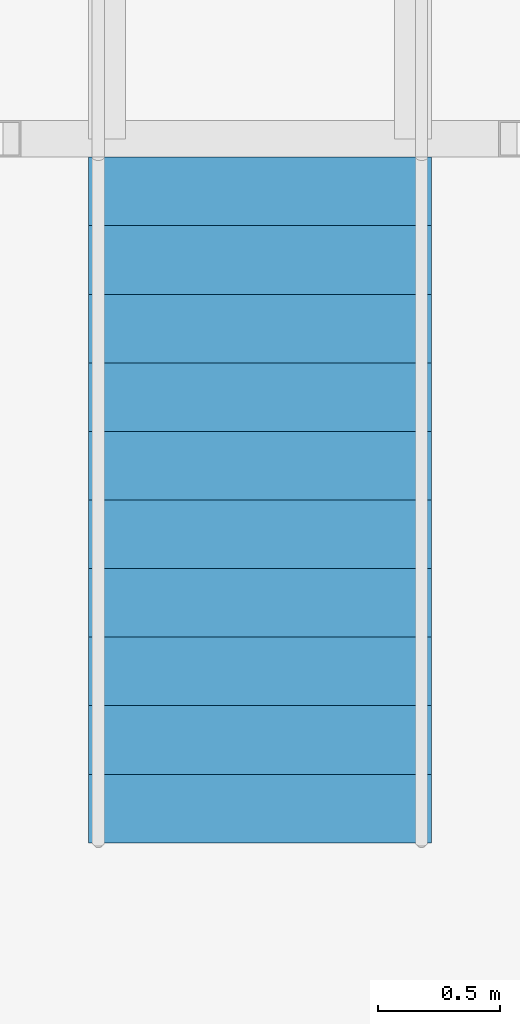
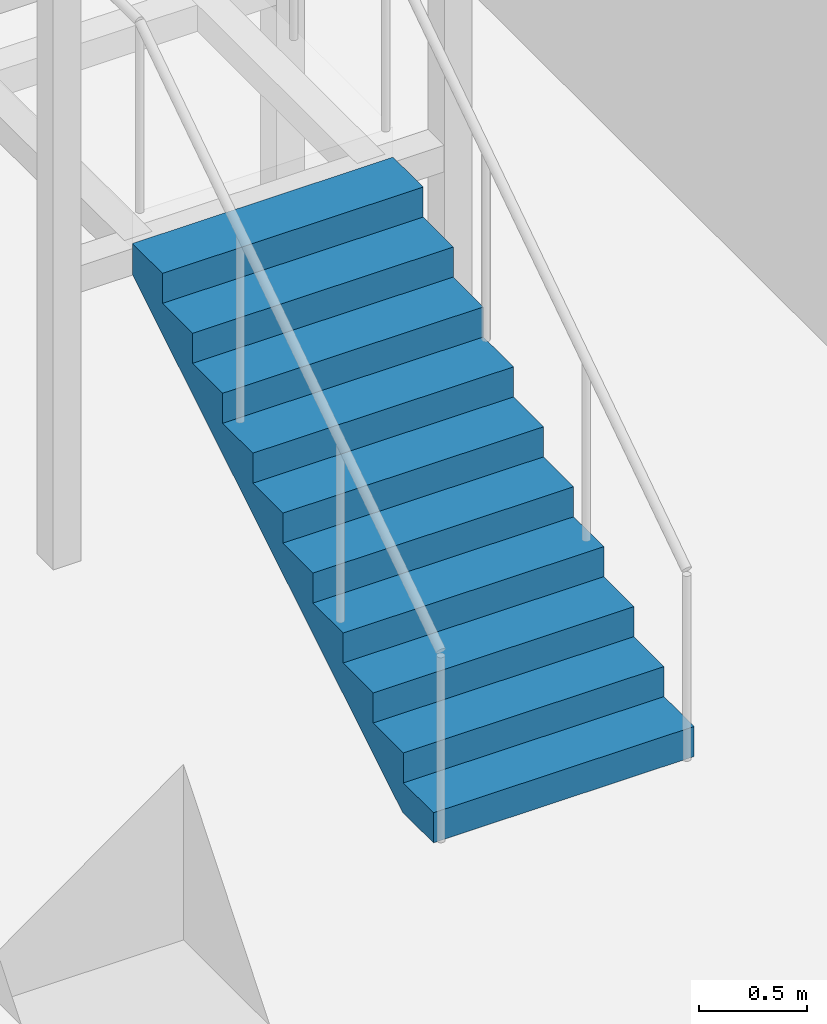
# One storey, part 26 of 28: 1 stair flight, 1 element without a shape of its own.
"""IFC4 building model written with IfcOpenShell, lengths in metres."""

from ifc_helpers import new_model, si_unit, direction, frame, origin, place, context, subcontext, project, spatial, triangles, material, type_object, element, aggregate, save


model = new_model("IFC4")

# Units and contexts
model_context = context("Model", 3, precision=1e-05, world=origin(), true_north=direction((0.0, 1.0)))
body_context = subcontext(model_context, "Body", "Model", "MODEL_VIEW")
ifc_project = project(units=[si_unit("LENGTHUNIT", "METRE"), si_unit("AREAUNIT", "SQUARE_METRE"), si_unit("VOLUMEUNIT", "CUBIC_METRE"), si_unit("PLANEANGLEUNIT", "RADIAN"), si_unit("MASSUNIT", "GRAM", prefix="KILO")], contexts=[model_context])

# Site, building, storey
site_placement = place(None, origin())
site = spatial("IfcSite", under=ifc_project, at=site_placement, CompositionType="ELEMENT")
building_placement = place(site_placement, origin())
building = spatial("IfcBuilding", under=site, at=building_placement, Name="Orbita Commons", CompositionType="ELEMENT")
storey_placement = place(building_placement, frame((0.0, 0.0, 23.949951171875)))
storey = spatial("IfcBuildingStorey", under=building, at=storey_placement, Name="L05", CompositionType="ELEMENT", Elevation=23.949951171875)

# Stair, stair flight
ifc_material_1 = material(Name="Steel ASTM A992 stringers, precast concrete C40/50 terrazzo treads", Category="concrete")
stair_type = type_object("IfcStairType", Name="Feature stair 22 risers 170 x 280 x 1400", PredefinedType="STRAIGHT_RUN_STAIR", material=ifc_material_1)
stair_placement = place(storey_placement, origin())
stair = element("IfcStair", 1, at=stair_placement, inside=storey, type_object=stair_type, Name="Neighbourhood stair L05 to L06", PredefinedType="STRAIGHT_RUN_STAIR")
ifc_material_2 = material(Name="Steel ASTM A992 stringers, precast concrete C40/50 terrazzo treads", Category="concrete")
stair_flight_type = type_object("IfcStairFlightType", Name="Feature stair flight 11 risers 170 x 1400", PredefinedType="STRAIGHT", material=ifc_material_2)
stair_flight_placement = place(storey_placement, frame((8.60009765625, 40.800048828125, 0.0), z_axis=(0.0, 0.0, 1.0), x_axis=(0.0, 1.0, 0.0)))
stair_flight = element("IfcStairFlight", 2, at=stair_flight_placement, type_object=stair_flight_type, Name="FS flight 1", NumberOfRisers=11, NumberOfTreads=10, PredefinedType="STRAIGHT", RiserHeight=0.170454545, TreadLength=0.28, context=body_context, shape_type="Tessellation", body=[
    triangles([(0.0, 0.699951, 0.0), (0.0, 0.699951, 0.021307), (0.0, 0.583293, 0.021307), (0.0, 0.583293, 0.0), (0.0, 0.466634, 0.021307), (0.0, 0.466634, 0.0), (0.0, 0.349976, 0.021307), (0.0, 0.349976, 0.0), (0.0, 0.233317, 0.021307), (0.0, 0.233317, 0.0), (0.0, 0.116659, 0.021307), (0.0, 0.116659, 0.0), (0.0, 0.0, 0.021307), (0.0, 0.0, 0.0), (0.0, -0.116659, 0.021307), (0.0, -0.116659, 0.0), (0.0, -0.233317, 0.021307), (0.0, -0.233317, 0.0), (0.0, -0.349976, 0.021307), (0.0, -0.349976, 0.0), (0.0, -0.466634, 0.021307), (0.0, -0.466634, 0.0), (0.0, -0.583293, 0.021307), (0.0, -0.583293, 0.0), (0.0, -0.699951, 0.021307), (0.0, -0.699951, 0.0), (0.0, 0.699951, 0.042614), (0.0, 0.583293, 0.042614), (0.0, 0.466634, 0.042614), (0.0, 0.349976, 0.042614), (0.0, 0.233317, 0.042614), (0.0, 0.116659, 0.042614), (0.0, 0.0, 0.042614), (0.0, -0.116659, 0.042614), (0.0, -0.233317, 0.042614), (0.0, -0.349976, 0.042614), (0.0, -0.466634, 0.042614), (0.0, -0.583293, 0.042614), (0.0, -0.699951, 0.042614), (0.0, 0.699951, 0.06392), (0.0, 0.583293, 0.06392), (0.0, 0.466634, 0.06392), (0.0, 0.349976, 0.06392), (0.0, 0.233317, 0.06392), (0.0, 0.116659, 0.06392), (0.0, 0.0, 0.06392), (0.0, -0.116659, 0.06392), (0.0, -0.233317, 0.06392), (0.0, -0.349976, 0.06392), (0.0, -0.466634, 0.06392), (0.0, -0.583293, 0.06392), (0.0, -0.699951, 0.06392), (0.0, 0.699951, 0.085227), (0.0, 0.583293, 0.085227), (0.0, 0.466634, 0.085227), (0.0, 0.349976, 0.085227), (0.0, 0.233317, 0.085227), (0.0, 0.116659, 0.085227), (0.0, 0.0, 0.085227), (0.0, -0.116659, 0.085227), (0.0, -0.233317, 0.085227), (0.0, -0.349976, 0.085227), (0.0, -0.466634, 0.085227), (0.0, -0.583293, 0.085227), (0.0, -0.699951, 0.085227), (0.0, 0.699951, 0.106534), (0.0, 0.583293, 0.106534), (0.0, 0.466634, 0.106534), (0.0, 0.349976, 0.106534), (0.0, 0.233317, 0.106534), (0.0, 0.116659, 0.106534), (0.0, 0.0, 0.106534), (0.0, -0.116659, 0.106534), (0.0, -0.233317, 0.106534), (0.0, -0.349976, 0.106534), (0.0, -0.466634, 0.106534), (0.0, -0.583293, 0.106534), (0.0, -0.699951, 0.106534), (0.0, 0.699951, 0.127841), (0.0, 0.583293, 0.127841), (0.0, 0.466634, 0.127841), (0.0, 0.349976, 0.127841), (0.0, 0.233317, 0.127841), (0.0, 0.116659, 0.127841), (0.0, 0.0, 0.127841), (0.0, -0.116659, 0.127841), (0.0, -0.233317, 0.127841), (0.0, -0.349976, 0.127841), (0.0, -0.466634, 0.127841), (0.0, -0.583293, 0.127841), (0.0, -0.699951, 0.127841), (0.0, 0.699951, 0.149148), (0.0, 0.583293, 0.149148), (0.0, 0.466634, 0.149148), (0.0, 0.349976, 0.149148), (0.0, 0.233317, 0.149148), (0.0, 0.116659, 0.149148), (0.0, 0.0, 0.149148), (0.0, -0.116659, 0.149148), (0.0, -0.233317, 0.149148), (0.0, -0.349976, 0.149148), (0.0, -0.466634, 0.149148), (0.0, -0.583293, 0.149148), (0.0, -0.699951, 0.149148), (0.0, 0.699951, 0.170455), (0.0, 0.583293, 0.170455), (0.0, 0.466634, 0.170455), (0.0, 0.349976, 0.170455), (0.0, 0.233317, 0.170455), (0.0, 0.116659, 0.170455), (0.0, 0.0, 0.170455), (0.0, -0.116659, 0.170455), (0.0, -0.233317, 0.170455), (0.0, -0.349976, 0.170455), (0.0, -0.466634, 0.170455), (0.0, -0.583293, 0.170455), (0.0, -0.699951, 0.170455), (0.28, 0.699951, 0.170455), (0.28, 0.583293, 0.170455), (0.28, 0.466634, 0.170455), (0.28, 0.349976, 0.170455), (0.28, 0.233317, 0.170455), (0.28, 0.116659, 0.170455), (0.28, 0.0, 0.170455), (0.28, -0.116659, 0.170455), (0.28, -0.233317, 0.170455), (0.28, -0.349976, 0.170455), (0.28, -0.466634, 0.170455), (0.28, -0.583293, 0.170455), (0.28, -0.699951, 0.170455), (0.28, 0.699951, 0.340909), (0.28, 0.583293, 0.340909), (0.28, 0.466634, 0.340909), (0.28, 0.349976, 0.340909), (0.28, 0.233317, 0.340909), (0.28, 0.116659, 0.340909), (0.28, 0.0, 0.340909), (0.28, -0.116659, 0.340909), (0.28, -0.233317, 0.340909), (0.28, -0.349976, 0.340909), (0.28, -0.466634, 0.340909), (0.28, -0.583293, 0.340909), (0.28, -0.699951, 0.340909), (0.56, 0.699951, 0.340909), (0.56, 0.583293, 0.340909), (0.56, 0.466634, 0.340909), (0.56, 0.349976, 0.340909), (0.56, 0.233317, 0.340909), (0.56, 0.116659, 0.340909), (0.56, 0.0, 0.340909), (0.56, -0.116659, 0.340909), (0.56, -0.233317, 0.340909), (0.56, -0.349976, 0.340909), (0.56, -0.466634, 0.340909), (0.56, -0.583293, 0.340909), (0.56, -0.699951, 0.340909), (0.56, 0.699951, 0.511364), (0.56, 0.583293, 0.511364), (0.56, 0.466634, 0.511364), (0.56, 0.349976, 0.511364), (0.56, 0.233317, 0.511364), (0.56, 0.116659, 0.511364), (0.56, 0.0, 0.511364), (0.56, -0.116659, 0.511364), (0.56, -0.233317, 0.511364), (0.56, -0.349976, 0.511364), (0.56, -0.466634, 0.511364), (0.56, -0.583293, 0.511364), (0.56, -0.699951, 0.511364), (0.84, 0.699951, 0.511364), (0.84, 0.583293, 0.511364), (0.84, 0.466634, 0.511364), (0.84, 0.349976, 0.511364), (0.84, 0.233317, 0.511364), (0.84, 0.116659, 0.511364), (0.84, 0.0, 0.511364), (0.84, -0.116659, 0.511364), (0.84, -0.233317, 0.511364), (0.84, -0.349976, 0.511364), (0.84, -0.466634, 0.511364), (0.84, -0.583293, 0.511364), (0.84, -0.699951, 0.511364), (0.84, 0.699951, 0.681818), (0.84, 0.583293, 0.681818), (0.84, 0.466634, 0.681818), (0.84, 0.349976, 0.681818), (0.84, 0.233317, 0.681818), (0.84, 0.116659, 0.681818), (0.84, 0.0, 0.681818), (0.84, -0.116659, 0.681818), (0.84, -0.233317, 0.681818), (0.84, -0.349976, 0.681818), (0.84, -0.466634, 0.681818), (0.84, -0.583293, 0.681818), (0.84, -0.699951, 0.681818), (1.12, 0.699951, 0.681818), (1.12, 0.583293, 0.681818), (1.12, 0.466634, 0.681818), (1.12, 0.349976, 0.681818), (1.12, 0.233317, 0.681818), (1.12, 0.116659, 0.681818), (1.12, 0.0, 0.681818), (1.12, -0.116659, 0.681818), (1.12, -0.233317, 0.681818), (1.12, -0.349976, 0.681818), (1.12, -0.466634, 0.681818), (1.12, -0.583293, 0.681818), (1.12, -0.699951, 0.681818), (1.12, 0.699951, 0.852273), (1.12, 0.583293, 0.852273), (1.12, 0.466634, 0.852273), (1.12, 0.349976, 0.852273), (1.12, 0.233317, 0.852273), (1.12, 0.116659, 0.852273), (1.12, 0.0, 0.852273), (1.12, -0.116659, 0.852273), (1.12, -0.233317, 0.852273), (1.12, -0.349976, 0.852273), (1.12, -0.466634, 0.852273), (1.12, -0.583293, 0.852273), (1.12, -0.699951, 0.852273), (1.4, 0.699951, 0.852273), (1.4, 0.583293, 0.852273), (1.4, 0.466634, 0.852273), (1.4, 0.349976, 0.852273), (1.4, 0.233317, 0.852273), (1.4, 0.116659, 0.852273), (1.4, 0.0, 0.852273), (1.4, -0.116659, 0.852273), (1.4, -0.233317, 0.852273), (1.4, -0.349976, 0.852273), (1.4, -0.466634, 0.852273), (1.4, -0.583293, 0.852273), (1.4, -0.699951, 0.852273), (1.4, 0.699951, 1.022727), (1.4, 0.583293, 1.022727), (1.4, 0.466634, 1.022727), (1.4, 0.349976, 1.022727), (1.4, 0.233317, 1.022727), (1.4, 0.116659, 1.022727), (1.4, 0.0, 1.022727), (1.4, -0.116659, 1.022727), (1.4, -0.233317, 1.022727), (1.4, -0.349976, 1.022727), (1.4, -0.466634, 1.022727), (1.4, -0.583293, 1.022727), (1.4, -0.699951, 1.022727), (1.68, 0.699951, 1.022727), (1.68, 0.583293, 1.022727), (1.68, 0.466634, 1.022727), (1.68, 0.349976, 1.022727), (1.68, 0.233317, 1.022727), (1.68, 0.116659, 1.022727), (1.68, 0.0, 1.022727), (1.68, -0.116659, 1.022727), (1.68, -0.233317, 1.022727), (1.68, -0.349976, 1.022727), (1.68, -0.466634, 1.022727), (1.68, -0.583293, 1.022727), (1.68, -0.699951, 1.022727), (1.68, 0.699951, 1.193182), (1.68, 0.583293, 1.193182), (1.68, 0.466634, 1.193182), (1.68, 0.349976, 1.193182), (1.68, 0.233317, 1.193182), (1.68, 0.116659, 1.193182), (1.68, 0.0, 1.193182), (1.68, -0.116659, 1.193182), (1.68, -0.233317, 1.193182), (1.68, -0.349976, 1.193182), (1.68, -0.466634, 1.193182), (1.68, -0.583293, 1.193182), (1.68, -0.699951, 1.193182), (1.96, 0.699951, 1.193182), (1.96, 0.583293, 1.193182), (1.96, 0.466634, 1.193182), (1.96, 0.349976, 1.193182), (1.96, 0.233317, 1.193182), (1.96, 0.116659, 1.193182), (1.96, 0.0, 1.193182), (1.96, -0.116659, 1.193182), (1.96, -0.233317, 1.193182), (1.96, -0.349976, 1.193182), (1.96, -0.466634, 1.193182), (1.96, -0.583293, 1.193182), (1.96, -0.699951, 1.193182), (1.96, 0.699951, 1.363636), (1.96, 0.583293, 1.363636), (1.96, 0.466634, 1.363636), (1.96, 0.349976, 1.363636), (1.96, 0.233317, 1.363636), (1.96, 0.116659, 1.363636), (1.96, 0.0, 1.363636), (1.96, -0.116659, 1.363636), (1.96, -0.233317, 1.363636), (1.96, -0.349976, 1.363636), (1.96, -0.466634, 1.363636), (1.96, -0.583293, 1.363636), (1.96, -0.699951, 1.363636), (2.24, 0.699951, 1.363636), (2.24, 0.583293, 1.363636), (2.24, 0.466634, 1.363636), (2.24, 0.349976, 1.363636), (2.24, 0.233317, 1.363636), (2.24, 0.116659, 1.363636), (2.24, 0.0, 1.363636), (2.24, -0.116659, 1.363636), (2.24, -0.233317, 1.363636), (2.24, -0.349976, 1.363636), (2.24, -0.466634, 1.363636), (2.24, -0.583293, 1.363636), (2.24, -0.699951, 1.363636), (2.24, 0.699951, 1.534091), (2.24, 0.583293, 1.534091), (2.24, 0.466634, 1.534091), (2.24, 0.349976, 1.534091), (2.24, 0.233317, 1.534091), (2.24, 0.116659, 1.534091), (2.24, 0.0, 1.534091), (2.24, -0.116659, 1.534091), (2.24, -0.233317, 1.534091), (2.24, -0.349976, 1.534091), (2.24, -0.466634, 1.534091), (2.24, -0.583293, 1.534091), (2.24, -0.699951, 1.534091), (2.52, 0.699951, 1.534091), (2.52, 0.583293, 1.534091), (2.52, 0.466634, 1.534091), (2.52, 0.349976, 1.534091), (2.52, 0.233317, 1.534091), (2.52, 0.116659, 1.534091), (2.52, 0.0, 1.534091), (2.52, -0.116659, 1.534091), (2.52, -0.233317, 1.534091), (2.52, -0.349976, 1.534091), (2.52, -0.466634, 1.534091), (2.52, -0.583293, 1.534091), (2.52, -0.699951, 1.534091), (2.52, 0.699951, 1.704545), (2.52, 0.583293, 1.704545), (2.52, 0.466634, 1.704545), (2.52, 0.349976, 1.704545), (2.52, 0.233317, 1.704545), (2.52, 0.116659, 1.704545), (2.52, 0.0, 1.704545), (2.52, -0.116659, 1.704545), (2.52, -0.233317, 1.704545), (2.52, -0.349976, 1.704545), (2.52, -0.466634, 1.704545), (2.52, -0.583293, 1.704545), (2.52, -0.699951, 1.704545), (2.8, 0.699951, 1.704545), (2.8, 0.583293, 1.704545), (2.8, 0.466634, 1.704545), (2.8, 0.349976, 1.704545), (2.8, 0.233317, 1.704545), (2.8, 0.116659, 1.704545), (2.8, 0.0, 1.704545), (2.8, -0.116659, 1.704545), (2.8, -0.233317, 1.704545), (2.8, -0.349976, 1.704545), (2.8, -0.466634, 1.704545), (2.8, -0.583293, 1.704545), (2.8, -0.699951, 1.704545), (2.8, 0.699951, 1.682609), (2.8, 0.583293, 1.682609), (2.8, 0.466634, 1.682609), (2.8, 0.349976, 1.682609), (2.8, 0.233317, 1.682609), (2.8, 0.116659, 1.682609), (2.8, 0.0, 1.682609), (2.8, -0.116659, 1.682609), (2.8, -0.233317, 1.682609), (2.8, -0.349976, 1.682609), (2.8, -0.466634, 1.682609), (2.8, -0.583293, 1.682609), (2.8, -0.699951, 1.682609), (2.8, 0.699951, 1.660672), (2.8, 0.583293, 1.660672), (2.8, 0.466634, 1.660672), (2.8, 0.349976, 1.660672), (2.8, 0.233317, 1.660672), (2.8, 0.116659, 1.660672), (2.8, 0.0, 1.660672), (2.8, -0.116659, 1.660672), (2.8, -0.233317, 1.660672), (2.8, -0.349976, 1.660672), (2.8, -0.466634, 1.660672), (2.8, -0.583293, 1.660672), (2.8, -0.699951, 1.660672), (2.8, 0.699951, 1.638735), (2.8, 0.583293, 1.638735), (2.8, 0.466634, 1.638735), (2.8, 0.349976, 1.638735), (2.8, 0.233317, 1.638735), (2.8, 0.116659, 1.638735), (2.8, 0.0, 1.638735), (2.8, -0.116659, 1.638735), (2.8, -0.233317, 1.638735), (2.8, -0.349976, 1.638735), (2.8, -0.466634, 1.638735), (2.8, -0.583293, 1.638735), (2.8, -0.699951, 1.638735), (2.8, 0.699951, 1.616798), (2.8, 0.583293, 1.616798), (2.8, 0.466634, 1.616798), (2.8, 0.349976, 1.616798), (2.8, 0.233317, 1.616798), (2.8, 0.116659, 1.616798), (2.8, 0.0, 1.616798), (2.8, -0.116659, 1.616798), (2.8, -0.233317, 1.616798), (2.8, -0.349976, 1.616798), (2.8, -0.466634, 1.616798), (2.8, -0.583293, 1.616798), (2.8, -0.699951, 1.616798), (2.8, 0.699951, 1.594861), (2.8, 0.583293, 1.594861), (2.8, 0.466634, 1.594861), (2.8, 0.349976, 1.594861), (2.8, 0.233317, 1.594861), (2.8, 0.116659, 1.594861), (2.8, 0.0, 1.594861), (2.8, -0.116659, 1.594861), (2.8, -0.233317, 1.594861), (2.8, -0.349976, 1.594861), (2.8, -0.466634, 1.594861), (2.8, -0.583293, 1.594861), (2.8, -0.699951, 1.594861), (2.8, 0.699951, 1.572925), (2.8, 0.583293, 1.572925), (2.8, 0.466634, 1.572925), (2.8, 0.349976, 1.572925), (2.8, 0.233317, 1.572925), (2.8, 0.116659, 1.572925), (2.8, 0.0, 1.572925), (2.8, -0.116659, 1.572925), (2.8, -0.233317, 1.572925), (2.8, -0.349976, 1.572925), (2.8, -0.466634, 1.572925), (2.8, -0.583293, 1.572925), (2.8, -0.699951, 1.572925), (2.8, 0.699951, 1.550988), (2.8, 0.583293, 1.550988), (2.8, 0.466634, 1.550988), (2.8, 0.349976, 1.550988), (2.8, 0.233317, 1.550988), (2.8, 0.116659, 1.550988), (2.8, 0.0, 1.550988), (2.8, -0.116659, 1.550988), (2.8, -0.233317, 1.550988), (2.8, -0.349976, 1.550988), (2.8, -0.466634, 1.550988), (2.8, -0.583293, 1.550988), (2.8, -0.699951, 1.550988), (2.8, 0.699951, 1.529051), (2.8, 0.583293, 1.529051), (2.8, 0.466634, 1.529051), (2.8, 0.349976, 1.529051), (2.8, 0.233317, 1.529051), (2.8, 0.116659, 1.529051), (2.8, 0.0, 1.529051), (2.8, -0.116659, 1.529051), (2.8, -0.233317, 1.529051), (2.8, -0.349976, 1.529051), (2.8, -0.466634, 1.529051), (2.8, -0.583293, 1.529051), (2.8, -0.699951, 1.529051), (0.288279, 0.699951, 0.0), (0.288279, 0.583293, 0.0), (0.288279, 0.466634, 0.0), (0.288279, 0.349976, 0.0), (0.288279, 0.233317, 0.0), (0.288279, 0.116659, 0.0), (0.288279, 0.0, 0.0), (0.288279, -0.116659, 0.0), (0.288279, -0.233317, 0.0), (0.288279, -0.349976, 0.0), (0.288279, -0.466634, 0.0), (0.288279, -0.583293, 0.0), (0.288279, -0.699951, 0.0)], [[3, 2, 1], [4, 3, 1], [5, 3, 4], [6, 5, 4], [7, 5, 6], [8, 7, 6], [9, 7, 8], [10, 9, 8], [11, 9, 10], [12, 11, 10], [13, 11, 12], [14, 13, 12], [15, 13, 14], [16, 15, 14], [17, 15, 16], [18, 17, 16], [19, 17, 18], [20, 19, 18], [21, 19, 20], [22, 21, 20], [23, 21, 22], [24, 23, 22], [25, 23, 24], [26, 25, 24], [28, 27, 2], [3, 28, 2], [29, 28, 3], [5, 29, 3], [30, 29, 5], [7, 30, 5], [31, 30, 7], [9, 31, 7], [32, 31, 9], [11, 32, 9], [33, 32, 11], [13, 33, 11], [34, 33, 13], [15, 34, 13], [35, 34, 15], [17, 35, 15], [36, 35, 17], [19, 36, 17], [37, 36, 19], [21, 37, 19], [38, 37, 21], [23, 38, 21], [39, 38, 23], [25, 39, 23], [41, 40, 27], [28, 41, 27], [42, 41, 28], [29, 42, 28], [43, 42, 29], [30, 43, 29], [44, 43, 30], [31, 44, 30], [45, 44, 31], [32, 45, 31], [46, 45, 32], [33, 46, 32], [47, 46, 33], [34, 47, 33], [48, 47, 34], [35, 48, 34], [49, 48, 35], [36, 49, 35], [50, 49, 36], [37, 50, 36], [51, 50, 37], [38, 51, 37], [52, 51, 38], [39, 52, 38], [54, 53, 40], [41, 54, 40], [55, 54, 41], [42, 55, 41], [56, 55, 42], [43, 56, 42], [57, 56, 43], [44, 57, 43], [58, 57, 44], [45, 58, 44], [59, 58, 45], [46, 59, 45], [60, 59, 46], [47, 60, 46], [61, 60, 47], [48, 61, 47], [62, 61, 48], [49, 62, 48], [63, 62, 49], [50, 63, 49], [64, 63, 50], [51, 64, 50], [65, 64, 51], [52, 65, 51], [67, 66, 53], [54, 67, 53], [68, 67, 54], [55, 68, 54], [69, 68, 55], [56, 69, 55], [70, 69, 56], [57, 70, 56], [71, 70, 57], [58, 71, 57], [72, 71, 58], [59, 72, 58], [73, 72, 59], [60, 73, 59], [74, 73, 60], [61, 74, 60], [75, 74, 61], [62, 75, 61], [76, 75, 62], [63, 76, 62], [77, 76, 63], [64, 77, 63], [78, 77, 64], [65, 78, 64], [80, 79, 66], [67, 80, 66], [81, 80, 67], [68, 81, 67], [82, 81, 68], [69, 82, 68], [83, 82, 69], [70, 83, 69], [84, 83, 70], [71, 84, 70], [85, 84, 71], [72, 85, 71], [86, 85, 72], [73, 86, 72], [87, 86, 73], [74, 87, 73], [88, 87, 74], [75, 88, 74], [89, 88, 75], [76, 89, 75], [90, 89, 76], [77, 90, 76], [91, 90, 77], [78, 91, 77], [93, 92, 79], [80, 93, 79], [94, 93, 80], [81, 94, 80], [95, 94, 81], [82, 95, 81], [96, 95, 82], [83, 96, 82], [97, 96, 83], [84, 97, 83], [98, 97, 84], [85, 98, 84], [99, 98, 85], [86, 99, 85], [100, 99, 86], [87, 100, 86], [101, 100, 87], [88, 101, 87], [102, 101, 88], [89, 102, 88], [103, 102, 89], [90, 103, 89], [104, 103, 90], [91, 104, 90], [106, 105, 92], [93, 106, 92], [107, 106, 93], [94, 107, 93], [108, 107, 94], [95, 108, 94], [109, 108, 95], [96, 109, 95], [110, 109, 96], [97, 110, 96], [111, 110, 97], [98, 111, 97], [112, 111, 98], [99, 112, 98], [113, 112, 99], [100, 113, 99], [114, 113, 100], [101, 114, 100], [115, 114, 101], [102, 115, 101], [116, 115, 102], [103, 116, 102], [117, 116, 103], [104, 117, 103], [119, 118, 105], [106, 119, 105], [120, 119, 106], [107, 120, 106], [121, 120, 107], [108, 121, 107], [122, 121, 108], [109, 122, 108], [123, 122, 109], [110, 123, 109], [124, 123, 110], [111, 124, 110], [125, 124, 111], [112, 125, 111], [126, 125, 112], [113, 126, 112], [127, 126, 113], [114, 127, 113], [128, 127, 114], [115, 128, 114], [129, 128, 115], [116, 129, 115], [130, 129, 116], [117, 130, 116], [132, 131, 118], [119, 132, 118], [133, 132, 119], [120, 133, 119], [134, 133, 120], [121, 134, 120], [135, 134, 121], [122, 135, 121], [136, 135, 122], [123, 136, 122], [137, 136, 123], [124, 137, 123], [138, 137, 124], [125, 138, 124], [139, 138, 125], [126, 139, 125], [140, 139, 126], [127, 140, 126], [141, 140, 127], [128, 141, 127], [142, 141, 128], [129, 142, 128], [143, 142, 129], [130, 143, 129], [145, 144, 131], [132, 145, 131], [146, 145, 132], [133, 146, 132], [147, 146, 133], [134, 147, 133], [148, 147, 134], [135, 148, 134], [149, 148, 135], [136, 149, 135], [150, 149, 136], [137, 150, 136], [151, 150, 137], [138, 151, 137], [152, 151, 138], [139, 152, 138], [153, 152, 139], [140, 153, 139], [154, 153, 140], [141, 154, 140], [155, 154, 141], [142, 155, 141], [156, 155, 142], [143, 156, 142], [158, 157, 144], [145, 158, 144], [159, 158, 145], [146, 159, 145], [160, 159, 146], [147, 160, 146], [161, 160, 147], [148, 161, 147], [162, 161, 148], [149, 162, 148], [163, 162, 149], [150, 163, 149], [164, 163, 150], [151, 164, 150], [165, 164, 151], [152, 165, 151], [166, 165, 152], [153, 166, 152], [167, 166, 153], [154, 167, 153], [168, 167, 154], [155, 168, 154], [169, 168, 155], [156, 169, 155], [171, 170, 157], [158, 171, 157], [172, 171, 158], [159, 172, 158], [173, 172, 159], [160, 173, 159], [174, 173, 160], [161, 174, 160], [175, 174, 161], [162, 175, 161], [176, 175, 162], [163, 176, 162], [177, 176, 163], [164, 177, 163], [178, 177, 164], [165, 178, 164], [179, 178, 165], [166, 179, 165], [180, 179, 166], [167, 180, 166], [181, 180, 167], [168, 181, 167], [182, 181, 168], [169, 182, 168], [184, 183, 170], [171, 184, 170], [185, 184, 171], [172, 185, 171], [186, 185, 172], [173, 186, 172], [187, 186, 173], [174, 187, 173], [188, 187, 174], [175, 188, 174], [189, 188, 175], [176, 189, 175], [190, 189, 176], [177, 190, 176], [191, 190, 177], [178, 191, 177], [192, 191, 178], [179, 192, 178], [193, 192, 179], [180, 193, 179], [194, 193, 180], [181, 194, 180], [195, 194, 181], [182, 195, 181], [197, 196, 183], [184, 197, 183], [198, 197, 184], [185, 198, 184], [199, 198, 185], [186, 199, 185], [200, 199, 186], [187, 200, 186], [201, 200, 187], [188, 201, 187], [202, 201, 188], [189, 202, 188], [203, 202, 189], [190, 203, 189], [204, 203, 190], [191, 204, 190], [205, 204, 191], [192, 205, 191], [206, 205, 192], [193, 206, 192], [207, 206, 193], [194, 207, 193], [208, 207, 194], [195, 208, 194], [210, 209, 196], [197, 210, 196], [211, 210, 197], [198, 211, 197], [212, 211, 198], [199, 212, 198], [213, 212, 199], [200, 213, 199], [214, 213, 200], [201, 214, 200], [215, 214, 201], [202, 215, 201], [216, 215, 202], [203, 216, 202], [217, 216, 203], [204, 217, 203], [218, 217, 204], [205, 218, 204], [219, 218, 205], [206, 219, 205], [220, 219, 206], [207, 220, 206], [221, 220, 207], [208, 221, 207], [223, 222, 209], [210, 223, 209], [224, 223, 210], [211, 224, 210], [225, 224, 211], [212, 225, 211], [226, 225, 212], [213, 226, 212], [227, 226, 213], [214, 227, 213], [228, 227, 214], [215, 228, 214], [229, 228, 215], [216, 229, 215], [230, 229, 216], [217, 230, 216], [231, 230, 217], [218, 231, 217], [232, 231, 218], [219, 232, 218], [233, 232, 219], [220, 233, 219], [234, 233, 220], [221, 234, 220], [236, 235, 222], [223, 236, 222], [237, 236, 223], [224, 237, 223], [238, 237, 224], [225, 238, 224], [239, 238, 225], [226, 239, 225], [240, 239, 226], [227, 240, 226], [241, 240, 227], [228, 241, 227], [242, 241, 228], [229, 242, 228], [243, 242, 229], [230, 243, 229], [244, 243, 230], [231, 244, 230], [245, 244, 231], [232, 245, 231], [246, 245, 232], [233, 246, 232], [247, 246, 233], [234, 247, 233], [249, 248, 235], [236, 249, 235], [250, 249, 236], [237, 250, 236], [251, 250, 237], [238, 251, 237], [252, 251, 238], [239, 252, 238], [253, 252, 239], [240, 253, 239], [254, 253, 240], [241, 254, 240], [255, 254, 241], [242, 255, 241], [256, 255, 242], [243, 256, 242], [257, 256, 243], [244, 257, 243], [258, 257, 244], [245, 258, 244], [259, 258, 245], [246, 259, 245], [260, 259, 246], [247, 260, 246], [262, 261, 248], [249, 262, 248], [263, 262, 249], [250, 263, 249], [264, 263, 250], [251, 264, 250], [265, 264, 251], [252, 265, 251], [266, 265, 252], [253, 266, 252], [267, 266, 253], [254, 267, 253], [268, 267, 254], [255, 268, 254], [269, 268, 255], [256, 269, 255], [270, 269, 256], [257, 270, 256], [271, 270, 257], [258, 271, 257], [272, 271, 258], [259, 272, 258], [273, 272, 259], [260, 273, 259], [275, 274, 261], [262, 275, 261], [276, 275, 262], [263, 276, 262], [277, 276, 263], [264, 277, 263], [278, 277, 264], [265, 278, 264], [279, 278, 265], [266, 279, 265], [280, 279, 266], [267, 280, 266], [281, 280, 267], [268, 281, 267], [282, 281, 268], [269, 282, 268], [283, 282, 269], [270, 283, 269], [284, 283, 270], [271, 284, 270], [285, 284, 271], [272, 285, 271], [286, 285, 272], [273, 286, 272], [288, 287, 274], [275, 288, 274], [289, 288, 275], [276, 289, 275], [290, 289, 276], [277, 290, 276], [291, 290, 277], [278, 291, 277], [292, 291, 278], [279, 292, 278], [293, 292, 279], [280, 293, 279], [294, 293, 280], [281, 294, 280], [295, 294, 281], [282, 295, 281], [296, 295, 282], [283, 296, 282], [297, 296, 283], [284, 297, 283], [298, 297, 284], [285, 298, 284], [299, 298, 285], [286, 299, 285], [301, 300, 287], [288, 301, 287], [302, 301, 288], [289, 302, 288], [303, 302, 289], [290, 303, 289], [304, 303, 290], [291, 304, 290], [305, 304, 291], [292, 305, 291], [306, 305, 292], [293, 306, 292], [307, 306, 293], [294, 307, 293], [308, 307, 294], [295, 308, 294], [309, 308, 295], [296, 309, 295], [310, 309, 296], [297, 310, 296], [311, 310, 297], [298, 311, 297], [312, 311, 298], [299, 312, 298], [314, 313, 300], [301, 314, 300], [315, 314, 301], [302, 315, 301], [316, 315, 302], [303, 316, 302], [317, 316, 303], [304, 317, 303], [318, 317, 304], [305, 318, 304], [319, 318, 305], [306, 319, 305], [320, 319, 306], [307, 320, 306], [321, 320, 307], [308, 321, 307], [322, 321, 308], [309, 322, 308], [323, 322, 309], [310, 323, 309], [324, 323, 310], [311, 324, 310], [325, 324, 311], [312, 325, 311], [327, 326, 313], [314, 327, 313], [328, 327, 314], [315, 328, 314], [329, 328, 315], [316, 329, 315], [330, 329, 316], [317, 330, 316], [331, 330, 317], [318, 331, 317], [332, 331, 318], [319, 332, 318], [333, 332, 319], [320, 333, 319], [334, 333, 320], [321, 334, 320], [335, 334, 321], [322, 335, 321], [336, 335, 322], [323, 336, 322], [337, 336, 323], [324, 337, 323], [338, 337, 324], [325, 338, 324], [340, 339, 326], [327, 340, 326], [341, 340, 327], [328, 341, 327], [342, 341, 328], [329, 342, 328], [343, 342, 329], [330, 343, 329], [344, 343, 330], [331, 344, 330], [345, 344, 331], [332, 345, 331], [346, 345, 332], [333, 346, 332], [347, 346, 333], [334, 347, 333], [348, 347, 334], [335, 348, 334], [349, 348, 335], [336, 349, 335], [350, 349, 336], [337, 350, 336], [351, 350, 337], [338, 351, 337], [353, 352, 339], [340, 353, 339], [354, 353, 340], [341, 354, 340], [355, 354, 341], [342, 355, 341], [356, 355, 342], [343, 356, 342], [357, 356, 343], [344, 357, 343], [358, 357, 344], [345, 358, 344], [359, 358, 345], [346, 359, 345], [360, 359, 346], [347, 360, 346], [361, 360, 347], [348, 361, 347], [362, 361, 348], [349, 362, 348], [363, 362, 349], [350, 363, 349], [364, 363, 350], [351, 364, 350], [366, 365, 352], [353, 366, 352], [367, 366, 353], [354, 367, 353], [368, 367, 354], [355, 368, 354], [369, 368, 355], [356, 369, 355], [370, 369, 356], [357, 370, 356], [371, 370, 357], [358, 371, 357], [372, 371, 358], [359, 372, 358], [373, 372, 359], [360, 373, 359], [374, 373, 360], [361, 374, 360], [375, 374, 361], [362, 375, 361], [376, 375, 362], [363, 376, 362], [377, 376, 363], [364, 377, 363], [379, 378, 365], [366, 379, 365], [380, 379, 366], [367, 380, 366], [381, 380, 367], [368, 381, 367], [382, 381, 368], [369, 382, 368], [383, 382, 369], [370, 383, 369], [384, 383, 370], [371, 384, 370], [385, 384, 371], [372, 385, 371], [386, 385, 372], [373, 386, 372], [387, 386, 373], [374, 387, 373], [388, 387, 374], [375, 388, 374], [389, 388, 375], [376, 389, 375], [390, 389, 376], [377, 390, 376], [392, 391, 378], [379, 392, 378], [393, 392, 379], [380, 393, 379], [394, 393, 380], [381, 394, 380], [395, 394, 381], [382, 395, 381], [396, 395, 382], [383, 396, 382], [397, 396, 383], [384, 397, 383], [398, 397, 384], [385, 398, 384], [399, 398, 385], [386, 399, 385], [400, 399, 386], [387, 400, 386], [401, 400, 387], [388, 401, 387], [402, 401, 388], [389, 402, 388], [403, 402, 389], [390, 403, 389], [405, 404, 391], [392, 405, 391], [406, 405, 392], [393, 406, 392], [407, 406, 393], [394, 407, 393], [408, 407, 394], [395, 408, 394], [409, 408, 395], [396, 409, 395], [410, 409, 396], [397, 410, 396], [411, 410, 397], [398, 411, 397], [412, 411, 398], [399, 412, 398], [413, 412, 399], [400, 413, 399], [414, 413, 400], [401, 414, 400], [415, 414, 401], [402, 415, 401], [416, 415, 402], [403, 416, 402], [418, 417, 404], [405, 418, 404], [419, 418, 405], [406, 419, 405], [420, 419, 406], [407, 420, 406], [421, 420, 407], [408, 421, 407], [422, 421, 408], [409, 422, 408], [423, 422, 409], [410, 423, 409], [424, 423, 410], [411, 424, 410], [425, 424, 411], [412, 425, 411], [426, 425, 412], [413, 426, 412], [427, 426, 413], [414, 427, 413], [428, 427, 414], [415, 428, 414], [429, 428, 415], [416, 429, 415], [431, 430, 417], [418, 431, 417], [432, 431, 418], [419, 432, 418], [433, 432, 419], [420, 433, 419], [434, 433, 420], [421, 434, 420], [435, 434, 421], [422, 435, 421], [436, 435, 422], [423, 436, 422], [437, 436, 423], [424, 437, 423], [438, 437, 424], [425, 438, 424], [439, 438, 425], [426, 439, 425], [440, 439, 426], [427, 440, 426], [441, 440, 427], [428, 441, 427], [442, 441, 428], [429, 442, 428], [444, 443, 430], [431, 444, 430], [445, 444, 431], [432, 445, 431], [446, 445, 432], [433, 446, 432], [447, 446, 433], [434, 447, 433], [448, 447, 434], [435, 448, 434], [449, 448, 435], [436, 449, 435], [450, 449, 436], [437, 450, 436], [451, 450, 437], [438, 451, 437], [452, 451, 438], [439, 452, 438], [453, 452, 439], [440, 453, 439], [454, 453, 440], [441, 454, 440], [455, 454, 441], [442, 455, 441], [457, 456, 443], [444, 457, 443], [458, 457, 444], [445, 458, 444], [459, 458, 445], [446, 459, 445], [460, 459, 446], [447, 460, 446], [461, 460, 447], [448, 461, 447], [462, 461, 448], [449, 462, 448], [463, 462, 449], [450, 463, 449], [464, 463, 450], [451, 464, 450], [465, 464, 451], [452, 465, 451], [466, 465, 452], [453, 466, 452], [467, 466, 453], [454, 467, 453], [468, 467, 454], [455, 468, 454], [470, 469, 456], [457, 470, 456], [471, 470, 457], [458, 471, 457], [472, 471, 458], [459, 472, 458], [473, 472, 459], [460, 473, 459], [474, 473, 460], [461, 474, 460], [475, 474, 461], [462, 475, 461], [476, 475, 462], [463, 476, 462], [477, 476, 463], [464, 477, 463], [478, 477, 464], [465, 478, 464], [479, 478, 465], [466, 479, 465], [480, 479, 466], [467, 480, 466], [481, 480, 467], [468, 481, 467], [4, 1, 469], [470, 4, 469], [6, 4, 470], [471, 6, 470], [8, 6, 471], [472, 8, 471], [10, 8, 472], [473, 10, 472], [12, 10, 473], [474, 12, 473], [14, 12, 474], [475, 14, 474], [16, 14, 475], [476, 16, 475], [18, 16, 476], [477, 18, 476], [20, 18, 477], [478, 20, 477], [22, 20, 478], [479, 22, 478], [24, 22, 479], [480, 24, 479], [26, 24, 480], [481, 26, 480], [456, 469, 1], [26, 481, 468], [443, 456, 1], [26, 468, 455], [430, 443, 1], [26, 455, 442], [417, 430, 1], [26, 442, 429], [404, 417, 1], [26, 429, 416], [391, 404, 1], [26, 416, 403], [378, 391, 1], [26, 403, 390], [365, 378, 1], [26, 390, 377], [339, 352, 365], [377, 364, 351], [326, 339, 365], [377, 351, 338], [300, 313, 326], [338, 325, 312], [300, 326, 365], [377, 338, 312], [274, 287, 300], [312, 299, 286], [274, 300, 365], [377, 312, 286], [248, 261, 274], [286, 273, 260], [248, 274, 365], [377, 286, 260], [222, 235, 248], [260, 247, 234], [222, 248, 365], [377, 260, 234], [196, 209, 222], [234, 221, 208], [196, 222, 365], [377, 234, 208], [170, 183, 196], [208, 195, 182], [170, 196, 365], [377, 208, 182], [144, 157, 170], [182, 169, 156], [144, 170, 365], [377, 182, 156], [118, 131, 144], [156, 143, 130], [118, 144, 365], [377, 156, 130], [118, 365, 1], [26, 377, 130], [92, 105, 118], [130, 117, 104], [79, 92, 118], [130, 104, 91], [66, 79, 118], [130, 91, 78], [53, 66, 118], [130, 78, 65], [40, 53, 118], [130, 65, 52], [27, 40, 118], [130, 52, 39], [2, 27, 118], [130, 39, 25], [1, 2, 118], [130, 25, 26]], closed=True),
])
aggregate(stair, [stair_flight])

save(model, "model.ifc")
